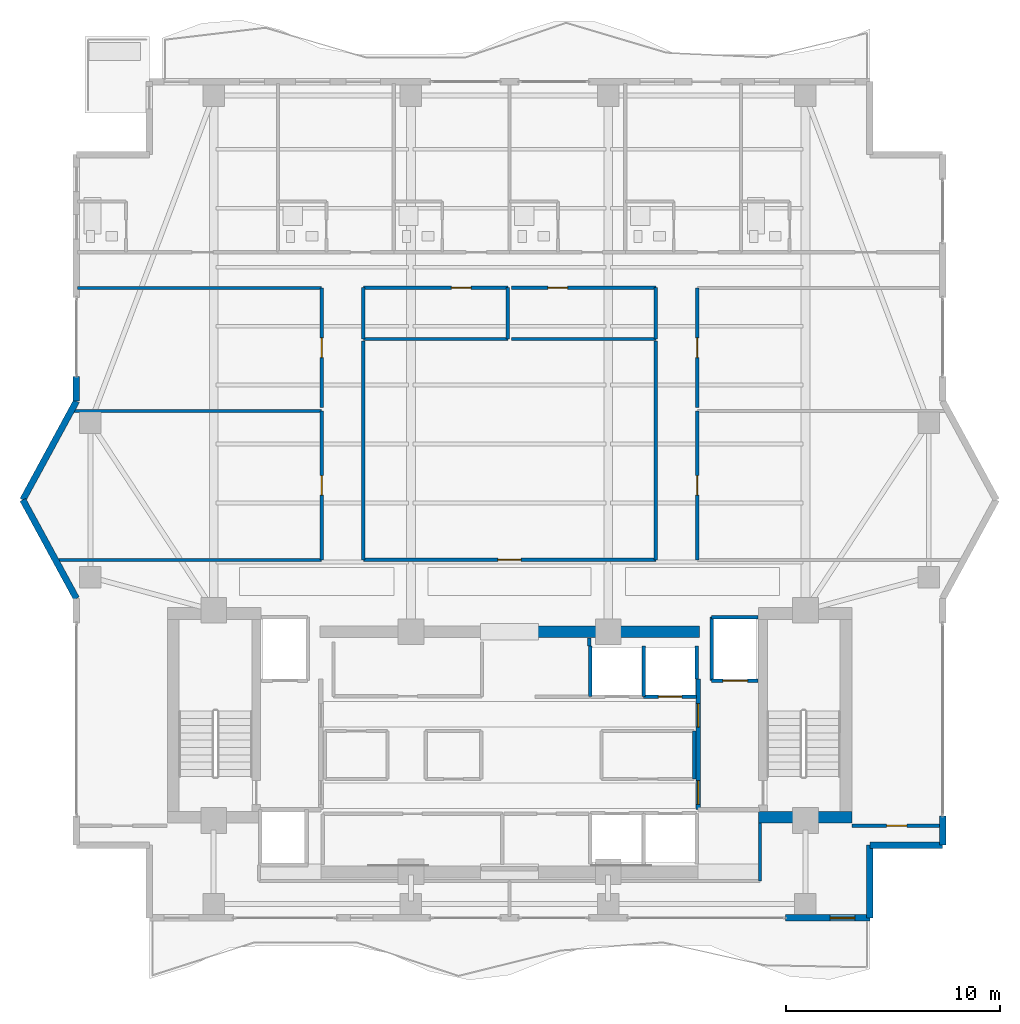
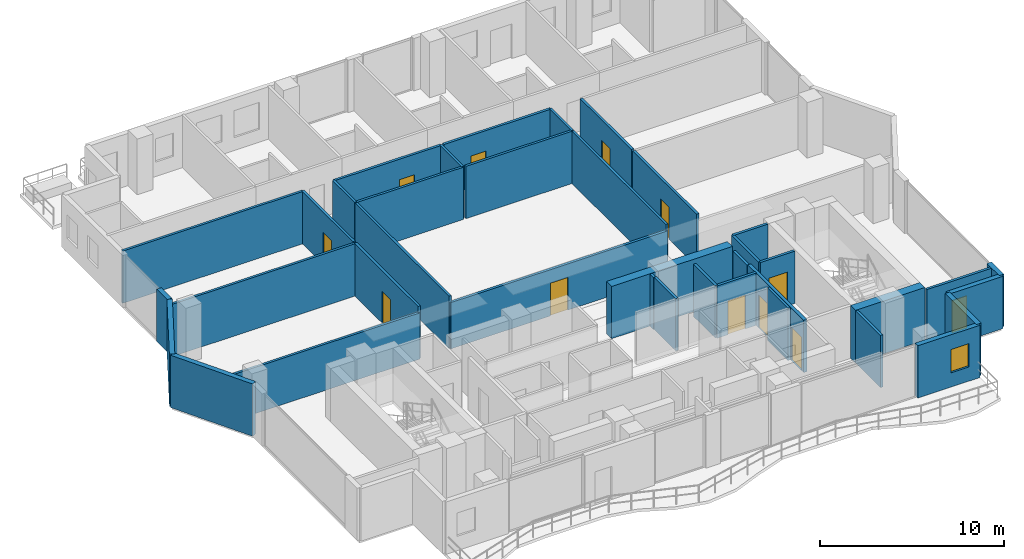
# One storey, part 18 of 23: 38 walls, 12 doors, 1 window, 13 openings.
"""IFC4 building model written with IfcOpenShell, lengths in metres."""

from ifc_helpers import new_model, si_unit, direction, frame, frame_2d, origin, place, context, subcontext, project, spatial, rectangle, extrude, material, layer, layer_set, type_object, element, fill, save


model = new_model("IFC4")

# Units and contexts
model_context = context("Model", 3, precision=1e-05, world=origin(), true_north=direction((0.0, 1.0)))
body_context = subcontext(model_context, "Body", "Model", "MODEL_VIEW")
ifc_project = project(units=[si_unit("LENGTHUNIT", "METRE"), si_unit("AREAUNIT", "SQUARE_METRE"), si_unit("VOLUMEUNIT", "CUBIC_METRE"), si_unit("PLANEANGLEUNIT", "RADIAN"), si_unit("MASSUNIT", "GRAM", prefix="KILO")], contexts=[model_context])

# Site, building, storey
site_placement = place(None, origin())
site = spatial("IfcSite", under=ifc_project, at=site_placement, CompositionType="ELEMENT")
building_placement = place(site_placement, origin())
building = spatial("IfcBuilding", under=site, at=building_placement, Name="Zuhayl Quay Hotel", CompositionType="ELEMENT")
storey_placement = place(building_placement, frame((0.0, 0.0, 272.949951171875)))
storey = spatial("IfcBuildingStorey", under=building, at=storey_placement, Name="L69", CompositionType="ELEMENT", Elevation=272.949951171875)

# Walls
ifc_material_1 = material(Name="Concrete C50/60", Category="concrete")
ifc_layer_1 = layer(ifc_material_1, 0.550048828125, Name="Concrete C50/60", Category="concrete")
ifc_layer_set_1 = layer_set([ifc_layer_1], Name="Concrete C50/60")
wall_type_1 = type_object("IfcWallType", Name="WL_CORE_550", PredefinedType="SHEAR", material=ifc_layer_set_1)
wall_1_placement = place(storey_placement, frame((11.60009765625, 4.695068359375, 0.0), z_axis=(0.0, 0.0, 1.0), x_axis=(1.0, 0.0, 0.0)))
element("IfcWall", 1, at=wall_1_placement, inside=storey, type_object=wall_type_1, Name="L69 Core Shear Wall CW_SE", PredefinedType="SHEAR", context=body_context, shape_type="SweptSolid", body=[
    extrude(rectangle(XDim=4.35986328125, YDim=0.550048828125, at=frame_2d((2.179931640625, 0.0))), origin(), (0.0, 0.0, 1.0), 3.510009765625),
])
wall_2_placement = place(storey_placement, frame((1.25, 13.35009765625, 0.0), z_axis=(0.0, 0.0, 1.0), x_axis=(1.0, 0.0, 0.0)))
element("IfcWall", 2, at=wall_2_placement, inside=storey, type_object=wall_type_1, Name="L69 Core Shear Wall CW_NC_E", PredefinedType="SHEAR", context=body_context, shape_type="SweptSolid", body=[
    extrude(rectangle(XDim=7.60009765625, YDim=0.550048828125, at=frame_2d((3.800048828125, 0.0))), origin(), (0.0, 0.0, 1.0), 3.47998046875),
])
ifc_material_2 = material(Name="Precast concrete C45/55", Category="concrete")
ifc_layer_2 = layer(ifc_material_2, 0.300048828125, Name="Precast concrete C45/55", Category="concrete")
ifc_layer_set_2 = layer_set([ifc_layer_2], Name="Precast concrete C45/55")
wall_type_2 = type_object("IfcWallType", Name="WL_EXT_300", PredefinedType="STANDARD", material=ifc_layer_set_2)
for number, where, z_axis, x_axis, name in (
    (3, (-20.199951171875, 14.89990234375, 0.0), (0.0, 0.0, 1.0), (-0.477505494629, 0.878628762675, 0.0), "L69 Exterior Precast Wall ENV_L69_EW03"),
    (4, (-22.699951171875, 19.5, 0.0), (0.0, 0.0, 1.0), (0.477505494629, 0.878628762675, 0.0), "L69 Exterior Precast Wall ENV_L69_EW04"),
):
    element("IfcWall", number, at=place(storey_placement, frame(where, z_axis=z_axis, x_axis=x_axis)), inside=storey, type_object=wall_type_2, Name=name, PredefinedType="STANDARD", context=body_context, shape_type="SweptSolid", body=[
        extrude(rectangle(XDim=5.235595703125, YDim=0.300048828125, at=frame_2d((2.61767578125, 0.0))), origin(), (0.0, 0.0, 1.0), 3.47998046875),
    ])
wall_3_placement = place(storey_placement, frame((-20.199951171875, 24.10009765625, 0.0), z_axis=(0.0, 0.0, 1.0), x_axis=(0.0, 1.0, 0.0)))
element("IfcWall", 5, at=wall_3_placement, inside=storey, type_object=wall_type_2, Name="L69 Exterior Precast Wall ENV_L69_E05_EW1", PredefinedType="STANDARD", context=body_context, shape_type="SweptSolid", body=[
    extrude(rectangle(XDim=1.14990234375, YDim=0.300048828125, at=frame_2d((0.574951171875, 0.0))), origin(), (0.0, 0.0, 1.0), 3.47998046875),
])
wall_4_placement = place(storey_placement, frame((20.199951171875, 4.75, 0.0), z_axis=(0.0, 0.0, 1.0), x_axis=(0.0, -1.0, 0.0)))
element("IfcWall", 6, at=wall_4_placement, inside=storey, type_object=wall_type_2, Name="L69 Exterior Precast Wall ENV_L69_E14_EW2", PredefinedType="STANDARD", context=body_context, shape_type="SweptSolid", body=[
    extrude(rectangle(XDim=1.35009765625, YDim=0.300048828125, at=frame_2d((0.675048828125, 0.0))), origin(), (0.0, 0.0, 1.0), 3.47998046875),
])
for number, where, z_axis, x_axis, name in (
    (7, (20.199951171875, 3.39990234375, 0.0), (0.0, 0.0, 1.0), (-1.0, 0.0, 0.0), "L69 Exterior Precast Wall ENV_L69_EW15"),
    (8, (16.800048828125, 3.39990234375, 0.0), (0.0, 0.0, 1.0), (0.0, -1.0, 0.0), "L69 Exterior Precast Wall ENV_L69_EW16"),
):
    element("IfcWall", number, at=place(storey_placement, frame(where, z_axis=z_axis, x_axis=x_axis)), inside=storey, type_object=wall_type_2, Name=name, PredefinedType="STANDARD", context=body_context, shape_type="SweptSolid", body=[
        extrude(rectangle(XDim=3.39990234375, YDim=0.300048828125, at=frame_2d((1.699951171875, 0.0))), origin(), (0.0, 0.0, 1.0), 3.47998046875),
    ])

# Wall, opening, window
wall_5_placement = place(storey_placement, frame((16.800048828125, 0.0, 0.0), z_axis=(0.0, 0.0, 1.0), x_axis=(-1.0, 0.0, 0.0)))
wall_5 = element("IfcWall", 9, at=wall_5_placement, inside=storey, type_object=wall_type_2, Name="L69 Exterior Precast Wall ENV_L69_S_EW1", PredefinedType="STANDARD", context=body_context, shape_type="SweptSolid", body=[
    extrude(rectangle(XDim=3.920166015625, YDim=0.300048828125, at=frame_2d((1.9599609375, 0.0))), origin(), (0.0, 0.0, 1.0), 3.47998046875),
])
opening_1_placement = place(wall_5_placement, frame((0.695068359375, 0.0, 0.949951171875)))
opening_1 = element("IfcOpeningElement", 10, at=opening_1_placement, cuts=wall_5, Name="Opening W01N", PredefinedType="OPENING", context=body_context, shape_type="SweptSolid", body=[
    extrude(rectangle(XDim=1.14990234375, YDim=1.550048828125, at=frame_2d((0.574951171875, 0.77490234375))), frame((0.0, 0.159912109375, 0.0), z_axis=(0.0, -1.0, 0.0), x_axis=(1.0, 0.0, 0.0)), (0.0, 0.0, 1.0), 0.320068359375),
])
ifc_material_3 = material(Name="Dark Ceramic-Fritted Solar Glass", Category="glass")
window_type = type_object("IfcWindowType", Name="WN_NOTCH_1350", PartitioningType="SINGLE_PANEL", PredefinedType="WINDOW", material=ifc_material_3)
window_placement = place(opening_1_placement, origin())
window = element("IfcWindow", 11, at=window_placement, inside=storey, type_object=window_type, Name="L69 Operable Facade Window 1-1", OverallHeight=1.550048828125, OverallWidth=1.14990234375, PartitioningType="SINGLE_PANEL", PredefinedType="WINDOW", context=body_context, shape_type="SweptSolid", body=[
    extrude(rectangle(XDim=1.14990234375, YDim=1.550048828125, at=frame_2d((0.574951171875, 0.77490234375))), frame((0.0, 0.030029296875, 0.0), z_axis=(0.0, -1.0, 0.0), x_axis=(1.0, 0.0, 0.0)), (0.0, 0.0, 1.0), 0.06005859375),
])
fill(opening_1, window)

# Walls
ifc_material_4 = material(Name="Acoustic Gypsum Partition STC-58")
ifc_layer_3 = layer(ifc_material_4, 0.14990234375, Name="Acoustic Gypsum Partition STC-58")
ifc_layer_set_3 = layer_set([ifc_layer_3], Name="Acoustic Gypsum Partition STC-58")
wall_type_3 = type_object("IfcWallType", Name="WL_PART_150", PredefinedType="PARTITIONING", material=ifc_layer_set_3)
wall_6_placement = place(storey_placement, frame((8.610107421875, 6.47998046875, 0.0), z_axis=(0.0, 0.0, 1.0), x_axis=(0.0, 1.0, 0.0)))
element("IfcWall", 12, at=wall_6_placement, inside=storey, type_object=wall_type_3, Name="L69 Partition IW_L69_CORE_VL_E", PredefinedType="PARTITIONING", context=body_context, shape_type="SweptSolid", body=[
    extrude(rectangle(XDim=2.239990234375, YDim=0.14990234375, at=frame_2d((1.1201171875, 0.0))), origin(), (0.0, 0.0, 1.0), 3.47998046875),
])
wall_7_placement = place(storey_placement, frame((3.719970703125, 12.679931640625, 0.0), z_axis=(0.0, 0.0, 1.0), x_axis=(0.0, 1.0, 0.0)))
element("IfcWall", 13, at=wall_7_placement, inside=storey, type_object=wall_type_3, Name="L69 Partition IW_L69_VEST_MP4_E", PredefinedType="PARTITIONING", context=body_context, shape_type="SweptSolid", body=[
    extrude(rectangle(XDim=0.3701171875, YDim=0.14990234375, at=frame_2d((0.18505859375, 0.0))), origin(), (0.0, 0.0, 1.0), 3.47998046875),
])
wall_8_placement = place(storey_placement, frame((11.679931640625, 1.719970703125, 0.0), z_axis=(0.0, 0.0, 1.0), x_axis=(0.0, 1.0, 0.0)))
element("IfcWall", 14, at=wall_8_placement, inside=storey, type_object=wall_type_3, Name="L69 Partition IW_L69_Z4_SUN_SE_IN", PredefinedType="PARTITIONING", context=body_context, shape_type="SweptSolid", body=[
    extrude(rectangle(XDim=2.699951171875, YDim=0.14990234375, at=frame_2d((1.35009765625, 0.0))), origin(), (0.0, 0.0, 1.0), 3.47998046875),
])
wall_9_placement = place(storey_placement, frame((-6.820068359375, 27.0, 0.0), z_axis=(0.0, 0.0, 1.0), x_axis=(1.0, 0.0, 0.0)))
element("IfcWall", 15, at=wall_9_placement, inside=storey, type_object=wall_type_3, Name="L69 Partition IW_L69_HK_MAIN_S", PredefinedType="PARTITIONING", context=body_context, shape_type="SweptSolid", body=[
    extrude(rectangle(XDim=6.739990234375, YDim=0.14990234375, at=frame_2d((3.3701171875, 0.0))), origin(), (0.0, 0.0, 1.0), 3.47998046875),
])
for number, where, z_axis, x_axis, name in (
    (16, (-6.820068359375, 27.0, 0.0), (0.0, 0.0, 1.0), (0.0, 1.0, 0.0), "L69 Partition IW_L69_HK_MAIN_W"),
    (17, (-0.080078125, 27.0, 0.0), (0.0, 0.0, 1.0), (0.0, 1.0, 0.0), "L69 Partition IW_L69_HK_MAIN_E"),
):
    element("IfcWall", number, at=place(storey_placement, frame(where, z_axis=z_axis, x_axis=x_axis)), inside=storey, type_object=wall_type_3, Name=name, PredefinedType="PARTITIONING", context=body_context, shape_type="SweptSolid", body=[
        extrude(rectangle(XDim=2.39990234375, YDim=0.14990234375, at=frame_2d((1.199951171875, 0.0))), origin(), (0.0, 0.0, 1.0), 3.47998046875),
    ])
wall_10_placement = place(storey_placement, frame((0.080078125, 27.0, 0.0), z_axis=(0.0, 0.0, 1.0), x_axis=(1.0, 0.0, 0.0)))
element("IfcWall", 18, at=wall_10_placement, inside=storey, type_object=wall_type_3, Name="L69 Partition IW_L69_TEA_MAIN_S", PredefinedType="PARTITIONING", context=body_context, shape_type="SweptSolid", body=[
    extrude(rectangle(XDim=6.739990234375, YDim=0.14990234375, at=frame_2d((3.3701171875, 0.0))), origin(), (0.0, 0.0, 1.0), 3.47998046875),
])
wall_11_placement = place(storey_placement, frame((6.820068359375, 27.0, 0.0), z_axis=(0.0, 0.0, 1.0), x_axis=(0.0, 1.0, 0.0)))
element("IfcWall", 19, at=wall_11_placement, inside=storey, type_object=wall_type_3, Name="L69 Partition IW_L69_TEA_MAIN_E", PredefinedType="PARTITIONING", context=body_context, shape_type="SweptSolid", body=[
    extrude(rectangle(XDim=2.39990234375, YDim=0.14990234375, at=frame_2d((1.199951171875, 0.0))), origin(), (0.0, 0.0, 1.0), 3.47998046875),
])
for number, where, z_axis, x_axis, name in (
    (20, (-6.820068359375, 16.699951171875, 0.0), (0.0, 0.0, 1.0), (0.0, 1.0, 0.0), "L69 Partition IW_L69_Z4_Q1_W"),
    (21, (6.820068359375, 16.699951171875, 0.0), (0.0, 0.0, 1.0), (0.0, 1.0, 0.0), "L69 Partition IW_L69_Z4_Q1_E"),
):
    element("IfcWall", number, at=place(storey_placement, frame(where, z_axis=z_axis, x_axis=x_axis)), inside=storey, type_object=wall_type_3, Name=name, PredefinedType="PARTITIONING", context=body_context, shape_type="SweptSolid", body=[
        extrude(rectangle(XDim=10.219970703125, YDim=0.14990234375, at=frame_2d((5.10986328125, 0.0))), origin(), (0.0, 0.0, 1.0), 3.47998046875),
    ])
wall_12_placement = place(storey_placement, frame((-21.118408203125, 16.699951171875, 0.0), z_axis=(0.0, 0.0, 1.0), x_axis=(1.0, 0.0, 0.0)))
element("IfcWall", 22, at=wall_12_placement, inside=storey, type_object=wall_type_3, Name="L69 Partition IW_L69_Z4_V4W1_S", PredefinedType="PARTITIONING", context=body_context, shape_type="SweptSolid", body=[
    extrude(rectangle(XDim=12.3583984375, YDim=0.14990234375, at=frame_2d((6.17919921875, 0.0))), origin(), (0.0, 0.0, 1.0), 3.075927734375),
])
wall_13_placement = place(storey_placement, frame((-20.384521484375, 23.64990234375, 0.0), z_axis=(0.0, 0.0, 1.0), x_axis=(1.0, 0.0, 0.0)))
element("IfcWall", 23, at=wall_13_placement, inside=storey, type_object=wall_type_3, Name="L69 Partition IW_L69_Z4_V4W1_N", PredefinedType="PARTITIONING", context=body_context, shape_type="SweptSolid", body=[
    extrude(rectangle(XDim=11.62451171875, YDim=0.14990234375, at=frame_2d((5.812255859375, 0.0))), origin(), (0.0, 0.0, 1.0), 3.47998046875),
])
wall_14_placement = place(storey_placement, frame((-20.139892578125, 29.3798828125, 0.0), z_axis=(0.0, 0.0, 1.0), x_axis=(1.0, 0.0, 0.0)))
element("IfcWall", 24, at=wall_14_placement, inside=storey, type_object=wall_type_3, Name="L69 Partition IW_L69_Z4_V4W2_N", PredefinedType="PARTITIONING", context=body_context, shape_type="SweptSolid", body=[
    extrude(rectangle(XDim=11.3798828125, YDim=0.14990234375, at=frame_2d((5.68994140625, 0.0))), origin(), (0.0, 0.0, 1.0), 3.47998046875),
])

# Wall, opening, door
ifc_layer_4 = layer(ifc_material_4, 0.159912109375, Name="Acoustic Gypsum Partition STC-58")
ifc_layer_set_4 = layer_set([ifc_layer_4], Name="Acoustic Gypsum Partition STC-58")
wall_type_4 = type_object("IfcWallType", Name="WL_PART_CORR_160", PredefinedType="PARTITIONING", material=ifc_layer_set_4)
wall_15_placement = place(storey_placement, frame((15.97998046875, 4.300048828125, 0.0), z_axis=(0.0, 0.0, 1.0), x_axis=(1.0, 0.0, 0.0)))
wall_15 = element("IfcWall", 25, at=wall_15_placement, inside=storey, type_object=wall_type_4, Name="L69 Partition IW_L69_Z4_SUN_SE_N", PredefinedType="PARTITIONING", context=body_context, shape_type="SweptSolid", body=[
    extrude(rectangle(XDim=4.159912109375, YDim=0.159912109375, at=frame_2d((2.080078125, 0.0))), origin(), (0.0, 0.0, 1.0), 3.47998046875),
])
opening_2_placement = place(wall_15_placement, frame((1.60498046875, 0.0, 0.0)))
opening_2 = element("IfcOpeningElement", 26, at=opening_2_placement, cuts=wall_15, Name="Opening D03", PredefinedType="OPENING", context=body_context, shape_type="SweptSolid", body=[
    extrude(rectangle(XDim=0.949951171875, YDim=2.14990234375, at=frame_2d((0.47509765625, 1.074951171875))), frame((0.0, 0.08984375, 0.0), z_axis=(0.0, -1.0, 0.0), x_axis=(1.0, 0.0, 0.0)), (0.0, 0.0, 1.0), 0.179931640625),
])
ifc_material_5 = material(Name="Solid Walnut Acoustic Fire Door")
door_type_1 = type_object("IfcDoorType", Name="DR_SUITE_950", OperationType="NOTDEFINED", PredefinedType="DOOR", material=ifc_material_5)
door_1_placement = place(opening_2_placement, origin())
door_1 = element("IfcDoor", 27, at=door_1_placement, inside=storey, type_object=door_type_1, Name="L69 Sunset Salon SE Door", OperationType="SINGLE_SWING_LEFT", OverallHeight=2.14990234375, OverallWidth=0.949951171875, PredefinedType="DOOR", context=body_context, shape_type="SweptSolid", body=[
    extrude(rectangle(XDim=0.949951171875, YDim=2.14990234375, at=frame_2d((0.47509765625, 1.074951171875))), frame((0.0, 0.02490234375, 0.0), z_axis=(0.0, -1.0, 0.0), x_axis=(1.0, 0.0, 0.0)), (0.0, 0.0, 1.0), 0.050048828125),
])
fill(opening_2, door_1)

wall_16_placement = place(storey_placement, frame((-6.820068359375, 29.39990234375, 0.0), z_axis=(0.0, 0.0, 1.0), x_axis=(1.0, 0.0, 0.0)))
wall_16 = element("IfcWall", 28, at=wall_16_placement, inside=storey, type_object=wall_type_4, Name="L69 Partition IW_L69_HK_MAIN_N", PredefinedType="PARTITIONING", context=body_context, shape_type="SweptSolid", body=[
    extrude(rectangle(XDim=6.739990234375, YDim=0.159912109375, at=frame_2d((3.3701171875, 0.0))), origin(), (0.0, 0.0, 1.0), 3.47998046875),
])
opening_3_placement = place(wall_16_placement, frame((4.110107421875, 0.0, 0.0)))
opening_3 = element("IfcOpeningElement", 29, at=opening_3_placement, cuts=wall_16, Name="Opening D05", PredefinedType="OPENING", context=body_context, shape_type="SweptSolid", body=[
    extrude(rectangle(XDim=0.919921875, YDim=2.1201171875, at=frame_2d((0.4599609375, 1.06005859375))), frame((0.0, 0.08984375, 0.0), z_axis=(0.0, -1.0, 0.0), x_axis=(1.0, 0.0, 0.0)), (0.0, 0.0, 1.0), 0.179931640625),
])
door_type_2 = type_object("IfcDoorType", Name="DR_INT_950", OperationType="NOTDEFINED", PredefinedType="DOOR", material=ifc_material_5)
door_2_placement = place(opening_3_placement, origin())
door_2 = element("IfcDoor", 30, at=door_2_placement, inside=storey, type_object=door_type_2, Name="L69 Housekeeping and Linen Room Door", OperationType="SINGLE_SWING_RIGHT", OverallHeight=2.1201171875, OverallWidth=0.919921875, PredefinedType="DOOR", context=body_context, shape_type="SweptSolid", body=[
    extrude(rectangle(XDim=0.919921875, YDim=2.1201171875, at=frame_2d((0.4599609375, 1.06005859375))), frame((0.0, 0.02490234375, 0.0), z_axis=(0.0, -1.0, 0.0), x_axis=(1.0, 0.0, 0.0)), (0.0, 0.0, 1.0), 0.050048828125),
])
fill(opening_3, door_2)

wall_17_placement = place(storey_placement, frame((0.080078125, 29.39990234375, 0.0), z_axis=(0.0, 0.0, 1.0), x_axis=(1.0, 0.0, 0.0)))
wall_17 = element("IfcWall", 31, at=wall_17_placement, inside=storey, type_object=wall_type_4, Name="L69 Partition IW_L69_TEA_MAIN_N", PredefinedType="PARTITIONING", context=body_context, shape_type="SweptSolid", body=[
    extrude(rectangle(XDim=6.739990234375, YDim=0.159912109375, at=frame_2d((3.3701171875, 0.0))), origin(), (0.0, 0.0, 1.0), 3.47998046875),
])
opening_4_placement = place(wall_17_placement, frame((1.7099609375, 0.0, 0.0)))
opening_4 = element("IfcOpeningElement", 32, at=opening_4_placement, cuts=wall_17, Name="Opening D05", PredefinedType="OPENING", context=body_context, shape_type="SweptSolid", body=[
    extrude(rectangle(XDim=0.919921875, YDim=2.1201171875, at=frame_2d((0.4599609375, 1.06005859375))), frame((0.0, 0.08984375, 0.0), z_axis=(0.0, -1.0, 0.0), x_axis=(1.0, 0.0, 0.0)), (0.0, 0.0, 1.0), 0.179931640625),
])
door_3_placement = place(opening_4_placement, origin())
door_3 = element("IfcDoor", 33, at=door_3_placement, inside=storey, type_object=door_type_2, Name="L69 Floor Beverage Pantry Door", OperationType="SINGLE_SWING_LEFT", OverallHeight=2.1201171875, OverallWidth=0.919921875, PredefinedType="DOOR", context=body_context, shape_type="SweptSolid", body=[
    extrude(rectangle(XDim=0.919921875, YDim=2.1201171875, at=frame_2d((0.4599609375, 1.06005859375))), frame((0.0, 0.02490234375, 0.0), z_axis=(0.0, -1.0, 0.0), x_axis=(1.0, 0.0, 0.0)), (0.0, 0.0, 1.0), 0.050048828125),
])
fill(opening_4, door_3)

wall_18_placement = place(storey_placement, frame((-6.820068359375, 16.699951171875, 0.0), z_axis=(0.0, 0.0, 1.0), x_axis=(1.0, 0.0, 0.0)))
wall_18 = element("IfcWall", 34, at=wall_18_placement, inside=storey, type_object=wall_type_4, Name="L69 Partition IW_L69_Z4_Q1_S", PredefinedType="PARTITIONING", context=body_context, shape_type="SweptSolid", body=[
    extrude(rectangle(XDim=13.64013671875, YDim=0.159912109375, at=frame_2d((6.820068359375, 0.0))), origin(), (0.0, 0.0, 1.0), 3.075927734375),
])
opening_5_placement = place(wall_18_placement, frame((6.280029296875, 0.0, 0.0)))
opening_5 = element("IfcOpeningElement", 35, at=opening_5_placement, cuts=wall_18, Name="Opening D05A", PredefinedType="OPENING", context=body_context, shape_type="SweptSolid", body=[
    extrude(rectangle(XDim=1.080078125, YDim=2.179931640625, at=frame_2d((0.5400390625, 1.08984375))), frame((0.0, 0.08984375, 0.0), z_axis=(0.0, -1.0, 0.0), x_axis=(1.0, 0.0, 0.0)), (0.0, 0.0, 1.0), 0.179931640625),
])
door_type_3 = type_object("IfcDoorType", Name="DR_INT_1100", OperationType="NOTDEFINED", PredefinedType="DOOR", material=ifc_material_5)
door_4_placement = place(opening_5_placement, origin())
door_4 = element("IfcDoor", 36, at=door_4_placement, inside=storey, type_object=door_type_3, Name="L69 Imperial Sky Conservatory Door", OperationType="SINGLE_SWING_RIGHT", OverallHeight=2.179931640625, OverallWidth=1.080078125, PredefinedType="DOOR", context=body_context, shape_type="SweptSolid", body=[
    extrude(rectangle(XDim=1.080078125, YDim=2.179931640625, at=frame_2d((0.5400390625, 1.08984375))), frame((0.0, 0.02490234375, 0.0), z_axis=(0.0, -1.0, 0.0), x_axis=(1.0, 0.0, 0.0)), (0.0, 0.0, 1.0), 0.050048828125),
])
fill(opening_5, door_4)

wall_19_placement = place(storey_placement, frame((-8.760009765625, 16.699951171875, 0.0), z_axis=(0.0, 0.0, 1.0), x_axis=(0.0, 1.0, 0.0)))
wall_19 = element("IfcWall", 37, at=wall_19_placement, inside=storey, type_object=wall_type_4, Name="L69 Partition IW_L69_Z4_V4W1_E", PredefinedType="PARTITIONING", context=body_context, shape_type="SweptSolid", body=[
    extrude(rectangle(XDim=6.949951171875, YDim=0.159912109375, at=frame_2d((3.47509765625, 0.0))), origin(), (0.0, 0.0, 1.0), 3.47998046875),
])
opening_6_placement = place(wall_19_placement, frame((3.014892578125, 0.0, 0.0)))
opening_6 = element("IfcOpeningElement", 38, at=opening_6_placement, cuts=wall_19, Name="Opening D05", PredefinedType="OPENING", context=body_context, shape_type="SweptSolid", body=[
    extrude(rectangle(XDim=0.919921875, YDim=2.1201171875, at=frame_2d((0.4599609375, 1.06005859375))), frame((0.0, 0.08984375, 0.0), z_axis=(0.0, -1.0, 0.0), x_axis=(1.0, 0.0, 0.0)), (0.0, 0.0, 1.0), 0.179931640625),
])
door_5_placement = place(opening_6_placement, origin())
door_5 = element("IfcDoor", 39, at=door_5_placement, inside=storey, type_object=door_type_2, Name="L69 Imperial West Salon Door", OperationType="SINGLE_SWING_LEFT", OverallHeight=2.1201171875, OverallWidth=0.919921875, PredefinedType="DOOR", context=body_context, shape_type="SweptSolid", body=[
    extrude(rectangle(XDim=0.919921875, YDim=2.1201171875, at=frame_2d((0.4599609375, 1.06005859375))), frame((0.0, 0.02490234375, 0.0), z_axis=(0.0, -1.0, 0.0), x_axis=(1.0, 0.0, 0.0)), (0.0, 0.0, 1.0), 0.050048828125),
])
fill(opening_6, door_5)

wall_20_placement = place(storey_placement, frame((-8.760009765625, 23.81005859375, 0.0), z_axis=(0.0, 0.0, 1.0), x_axis=(0.0, 1.0, 0.0)))
wall_20 = element("IfcWall", 40, at=wall_20_placement, inside=storey, type_object=wall_type_4, Name="L69 Partition IW_L69_Z4_V4W2_E", PredefinedType="PARTITIONING", context=body_context, shape_type="SweptSolid", body=[
    extrude(rectangle(XDim=5.56982421875, YDim=0.159912109375, at=frame_2d((2.784912109375, 0.0))), origin(), (0.0, 0.0, 1.0), 3.47998046875),
])
opening_7_placement = place(wall_20_placement, frame((2.324951171875, 0.0, 0.0)))
opening_7 = element("IfcOpeningElement", 41, at=opening_7_placement, cuts=wall_20, Name="Opening D05", PredefinedType="OPENING", context=body_context, shape_type="SweptSolid", body=[
    extrude(rectangle(XDim=0.919921875, YDim=2.1201171875, at=frame_2d((0.4599609375, 1.06005859375))), frame((0.0, 0.08984375, 0.0), z_axis=(0.0, -1.0, 0.0), x_axis=(1.0, 0.0, 0.0)), (0.0, 0.0, 1.0), 0.179931640625),
])
door_6_placement = place(opening_7_placement, origin())
door_6 = element("IfcDoor", 42, at=door_6_placement, inside=storey, type_object=door_type_2, Name="L69 Imperial Music Lounge Door", OperationType="SINGLE_SWING_RIGHT", OverallHeight=2.1201171875, OverallWidth=0.919921875, PredefinedType="DOOR", context=body_context, shape_type="SweptSolid", body=[
    extrude(rectangle(XDim=0.919921875, YDim=2.1201171875, at=frame_2d((0.4599609375, 1.06005859375))), frame((0.0, 0.02490234375, 0.0), z_axis=(0.0, -1.0, 0.0), x_axis=(1.0, 0.0, 0.0)), (0.0, 0.0, 1.0), 0.050048828125),
])
fill(opening_7, door_6)

wall_21_placement = place(storey_placement, frame((8.760009765625, 16.699951171875, 0.0), z_axis=(0.0, 0.0, 1.0), x_axis=(0.0, 1.0, 0.0)))
wall_21 = element("IfcWall", 43, at=wall_21_placement, inside=storey, type_object=wall_type_4, Name="L69 Partition IW_L69_Z4_V4E1_W", PredefinedType="PARTITIONING", context=body_context, shape_type="SweptSolid", body=[
    extrude(rectangle(XDim=6.949951171875, YDim=0.159912109375, at=frame_2d((3.47509765625, 0.0))), origin(), (0.0, 0.0, 1.0), 3.47998046875),
])
opening_8_placement = place(wall_21_placement, frame((3.014892578125, 0.0, 0.0)))
opening_8 = element("IfcOpeningElement", 44, at=opening_8_placement, cuts=wall_21, Name="Opening D05", PredefinedType="OPENING", context=body_context, shape_type="SweptSolid", body=[
    extrude(rectangle(XDim=0.919921875, YDim=2.1201171875, at=frame_2d((0.4599609375, 1.06005859375))), frame((0.0, 0.08984375, 0.0), z_axis=(0.0, -1.0, 0.0), x_axis=(1.0, 0.0, 0.0)), (0.0, 0.0, 1.0), 0.179931640625),
])
door_7_placement = place(opening_8_placement, origin())
door_7 = element("IfcDoor", 45, at=door_7_placement, inside=storey, type_object=door_type_2, Name="L69 Imperial Boardroom Door", OperationType="SINGLE_SWING_LEFT", OverallHeight=2.1201171875, OverallWidth=0.919921875, PredefinedType="DOOR", context=body_context, shape_type="SweptSolid", body=[
    extrude(rectangle(XDim=0.919921875, YDim=2.1201171875, at=frame_2d((0.4599609375, 1.06005859375))), frame((0.0, 0.02490234375, 0.0), z_axis=(0.0, -1.0, 0.0), x_axis=(1.0, 0.0, 0.0)), (0.0, 0.0, 1.0), 0.050048828125),
])
fill(opening_8, door_7)

wall_22_placement = place(storey_placement, frame((8.760009765625, 23.81005859375, 0.0), z_axis=(0.0, 0.0, 1.0), x_axis=(0.0, 1.0, 0.0)))
wall_22 = element("IfcWall", 46, at=wall_22_placement, inside=storey, type_object=wall_type_4, Name="L69 Partition IW_L69_Z4_V4E2_W", PredefinedType="PARTITIONING", context=body_context, shape_type="SweptSolid", body=[
    extrude(rectangle(XDim=5.56982421875, YDim=0.159912109375, at=frame_2d((2.784912109375, 0.0))), origin(), (0.0, 0.0, 1.0), 3.47998046875),
])
opening_9_placement = place(wall_22_placement, frame((2.324951171875, 0.0, 0.0)))
opening_9 = element("IfcOpeningElement", 47, at=opening_9_placement, cuts=wall_22, Name="Opening D05", PredefinedType="OPENING", context=body_context, shape_type="SweptSolid", body=[
    extrude(rectangle(XDim=0.919921875, YDim=2.1201171875, at=frame_2d((0.4599609375, 1.06005859375))), frame((0.0, 0.08984375, 0.0), z_axis=(0.0, -1.0, 0.0), x_axis=(1.0, 0.0, 0.0)), (0.0, 0.0, 1.0), 0.179931640625),
])
door_8_placement = place(opening_9_placement, origin())
door_8 = element("IfcDoor", 48, at=door_8_placement, inside=storey, type_object=door_type_2, Name="L69 Imperial Private Dining Door", OperationType="SINGLE_SWING_RIGHT", OverallHeight=2.1201171875, OverallWidth=0.919921875, PredefinedType="DOOR", context=body_context, shape_type="SweptSolid", body=[
    extrude(rectangle(XDim=0.919921875, YDim=2.1201171875, at=frame_2d((0.4599609375, 1.06005859375))), frame((0.0, 0.02490234375, 0.0), z_axis=(0.0, -1.0, 0.0), x_axis=(1.0, 0.0, 0.0)), (0.0, 0.0, 1.0), 0.050048828125),
])
fill(opening_9, door_8)

ifc_material_6 = material(Name="Gypsum Fireboard Assembly EI-90")
ifc_layer_5 = layer(ifc_material_6, 0.1650390625, Name="Gypsum Fireboard Assembly EI-90")
ifc_layer_set_5 = layer_set([ifc_layer_5], Name="Gypsum Fireboard Assembly EI-90")
wall_type_5 = type_object("IfcWallType", Name="WL_PART_SHAFT_160", PredefinedType="PARTITIONING", material=ifc_layer_set_5)
wall_23_placement = place(storey_placement, frame((9.419921875, 11.070068359375, 0.0), z_axis=(0.0, 0.0, 1.0), x_axis=(1.0, 0.0, 0.0)))
wall_23 = element("IfcWall", 49, at=wall_23_placement, inside=storey, type_object=wall_type_5, Name="L69 Partition IW_L69_SH_FL2_F", PredefinedType="PARTITIONING", context=body_context, shape_type="SweptSolid", body=[
    extrude(rectangle(XDim=2.16015625, YDim=0.1650390625, at=frame_2d((1.080078125, 0.0))), origin(), (0.0, 0.0, 1.0), 3.47998046875),
])
opening_10_placement = place(wall_23_placement, frame((0.530029296875, 0.0, 0.0)))
opening_10 = element("IfcOpeningElement", 50, at=opening_10_placement, cuts=wall_23, Name="Opening LD2", PredefinedType="OPENING", context=body_context, shape_type="SweptSolid", body=[
    extrude(rectangle(XDim=1.14990234375, YDim=2.25, at=frame_2d((0.574951171875, 1.125))), frame((0.0, 0.092529296875, 0.0), z_axis=(0.0, -1.0, 0.0), x_axis=(1.0, 0.0, 0.0)), (0.0, 0.0, 1.0), 0.18505859375),
])
ifc_material_7 = material(Name="Brushed Stainless Steel", Category="steel")
door_type_4 = type_object("IfcDoorType", Name="DR_LIFT_FF_1100", OperationType="SLIDING_TO_LEFT", PredefinedType="DOOR", material=ifc_material_7)
door_9_placement = place(opening_10_placement, origin())
door_9 = element("IfcDoor", 51, at=door_9_placement, inside=storey, type_object=door_type_4, Name="L69 Lift FL2 Sliding Landing Door", OperationType="SLIDING_TO_LEFT", OverallHeight=2.25, OverallWidth=1.14990234375, PredefinedType="DOOR", context=body_context, shape_type="SweptSolid", body=[
    extrude(rectangle(XDim=1.14990234375, YDim=2.25, at=frame_2d((0.574951171875, 1.125))), frame((0.0, 0.02490234375, 0.0), z_axis=(0.0, -1.0, 0.0), x_axis=(1.0, 0.0, 0.0)), (0.0, 0.0, 1.0), 0.050048828125),
])
fill(opening_10, door_9)

wall_24_placement = place(storey_placement, frame((6.25, 10.320068359375, 0.0), z_axis=(0.0, 0.0, 1.0), x_axis=(1.0, 0.0, 0.0)))
wall_24 = element("IfcWall", 52, at=wall_24_placement, inside=storey, type_object=wall_type_5, Name="L69 Partition IW_L69_SH_HP4_F", PredefinedType="PARTITIONING", context=body_context, shape_type="SweptSolid", body=[
    extrude(rectangle(XDim=2.47998046875, YDim=0.1650390625, at=frame_2d((1.239990234375, 0.0))), origin(), (0.0, 0.0, 1.0), 3.47998046875),
])
opening_11_placement = place(wall_24_placement, frame((0.68994140625, 0.0, 0.0)))
opening_11 = element("IfcOpeningElement", 53, at=opening_11_placement, cuts=wall_24, Name="Opening LD1", PredefinedType="OPENING", context=body_context, shape_type="SweptSolid", body=[
    extrude(rectangle(XDim=1.10009765625, YDim=2.25, at=frame_2d((0.550048828125, 1.125))), frame((0.0, 0.092529296875, 0.0), z_axis=(0.0, -1.0, 0.0), x_axis=(1.0, 0.0, 0.0)), (0.0, 0.0, 1.0), 0.18505859375),
])
door_type_5 = type_object("IfcDoorType", Name="DR_LIFT_PASS_1100", OperationType="SLIDING_TO_LEFT", PredefinedType="DOOR", material=ifc_material_7)
door_10_placement = place(opening_11_placement, origin())
door_10 = element("IfcDoor", 54, at=door_10_placement, inside=storey, type_object=door_type_5, Name="L69 Lift HP4 Sliding Landing Door", OperationType="SLIDING_TO_LEFT", OverallHeight=2.25, OverallWidth=1.10009765625, PredefinedType="DOOR", context=body_context, shape_type="SweptSolid", body=[
    extrude(rectangle(XDim=1.10009765625, YDim=2.25, at=frame_2d((0.550048828125, 1.125))), frame((0.0, 0.02490234375, 0.0), z_axis=(0.0, -1.0, 0.0), x_axis=(1.0, 0.0, 0.0)), (0.0, 0.0, 1.0), 0.050048828125),
])
fill(opening_11, door_10)

# Walls
wall_25_placement = place(storey_placement, frame((9.419921875, 11.070068359375, 0.0), z_axis=(0.0, 0.0, 1.0), x_axis=(0.0, 1.0, 0.0)))
element("IfcWall", 55, at=wall_25_placement, inside=storey, type_object=wall_type_5, Name="L69 Partition IW_L69_SH_FL2_W", PredefinedType="PARTITIONING", context=body_context, shape_type="SweptSolid", body=[
    extrude(rectangle(XDim=2.9599609375, YDim=0.1650390625, at=frame_2d((1.47998046875, 0.0))), origin(), (0.0, 0.0, 1.0), 3.47998046875),
])
wall_26_placement = place(storey_placement, frame((9.419921875, 14.030029296875, 0.0), z_axis=(0.0, 0.0, 1.0), x_axis=(1.0, 0.0, 0.0)))
element("IfcWall", 56, at=wall_26_placement, inside=storey, type_object=wall_type_5, Name="L69 Partition IW_L69_SH_FL2_B", PredefinedType="PARTITIONING", context=body_context, shape_type="SweptSolid", body=[
    extrude(rectangle(XDim=2.16015625, YDim=0.1650390625, at=frame_2d((1.080078125, 0.0))), origin(), (0.0, 0.0, 1.0), 3.47998046875),
])
for number, where, z_axis, x_axis, name in (
    (57, (3.77001953125, 10.320068359375, 0.0), (0.0, 0.0, 1.0), (0.0, 1.0, 0.0), "L69 Partition IW_L69_SH_HP3_W"),
    (58, (6.25, 10.320068359375, 0.0), (0.0, 0.0, 1.0), (0.0, 1.0, 0.0), "L69 Partition IW_L69_SH_HP3_E"),
):
    element("IfcWall", number, at=place(storey_placement, frame(where, z_axis=z_axis, x_axis=x_axis)), inside=storey, type_object=wall_type_5, Name=name, PredefinedType="PARTITIONING", context=body_context, shape_type="SweptSolid", body=[
        extrude(rectangle(XDim=2.35986328125, YDim=0.1650390625, at=frame_2d((1.179931640625, 0.0))), origin(), (0.0, 0.0, 1.0), 3.47998046875),
    ])
wall_27_placement = place(storey_placement, frame((8.72998046875, 11.14990234375, 0.0), z_axis=(0.0, 0.0, 1.0), x_axis=(0.0, 1.0, 0.0)))
element("IfcWall", 59, at=wall_27_placement, inside=storey, type_object=wall_type_5, Name="L69 Partition IW_L69_SH_HP4_E", PredefinedType="PARTITIONING", context=body_context, shape_type="SweptSolid", body=[
    extrude(rectangle(XDim=1.530029296875, YDim=0.1650390625, at=frame_2d((0.76513671875, 0.0))), origin(), (0.0, 0.0, 1.0), 3.47998046875),
])

# Wall, openings, doors
ifc_material_8 = material(Name="Gypsum Fireboard Assembly EI-120")
ifc_layer_6 = layer(ifc_material_8, 0.199951171875, Name="Gypsum Fireboard Assembly EI-120")
ifc_layer_set_6 = layer_set([ifc_layer_6], Name="Gypsum Fireboard Assembly EI-120")
wall_type_6 = type_object("IfcWallType", Name="WL_PART_SHAFT_200", PredefinedType="PARTITIONING", material=ifc_layer_set_6)
wall_28_placement = place(storey_placement, frame((8.800048828125, 11.14990234375, 0.0), z_axis=(0.0, 0.0, 1.0), x_axis=(0.0, -1.0, 0.0)))
wall_28 = element("IfcWall", 60, at=wall_28_placement, inside=storey, type_object=wall_type_6, Name="L69 Partition IW_L69_FSAE_E_W", PredefinedType="PARTITIONING", context=body_context, shape_type="SweptSolid", body=[
    extrude(rectangle(XDim=6.099853515625, YDim=0.199951171875, at=frame_2d((3.0498046875, 0.0))), origin(), (0.0, 0.0, 1.0), 3.47998046875),
])
opening_12_placement = place(wall_28_placement, frame((1.14990234375, 0.0, 0.0)))
opening_12 = element("IfcOpeningElement", 61, at=opening_12_placement, cuts=wall_28, Name="Opening D02", PredefinedType="OPENING", context=body_context, shape_type="SweptSolid", body=[
    extrude(rectangle(XDim=1.10009765625, YDim=2.199951171875, at=frame_2d((0.550048828125, 1.10009765625))), frame((0.0, 0.10986328125, 0.0), z_axis=(0.0, -1.0, 0.0), x_axis=(1.0, 0.0, 0.0)), (0.0, 0.0, 1.0), 0.219970703125),
])
opening_13_placement = place(wall_28_placement, frame((4.75, 0.0, 0.0)))
opening_13 = element("IfcOpeningElement", 62, at=opening_13_placement, cuts=wall_28, Name="Opening D02", PredefinedType="OPENING", context=body_context, shape_type="SweptSolid", body=[
    extrude(rectangle(XDim=1.10009765625, YDim=2.199951171875, at=frame_2d((0.550048828125, 1.10009765625))), frame((0.0, 0.10986328125, 0.0), z_axis=(0.0, -1.0, 0.0), x_axis=(1.0, 0.0, 0.0)), (0.0, 0.0, 1.0), 0.219970703125),
])
ifc_material_9 = material(Name="Steel ASTM A992 Grade 50", Category="steel")
door_type_6 = type_object("IfcDoorType", Name="DR_FIRE_90_1100", OperationType="NOTDEFINED", PredefinedType="DOOR", material=ifc_material_9)
door_11_placement = place(opening_12_placement, origin())
door_11 = element("IfcDoor", 63, at=door_11_placement, inside=storey, type_object=door_type_6, Name="L69 FSAE Lobby East North Entry Door", OperationType="SINGLE_SWING_RIGHT", OverallHeight=2.199951171875, OverallWidth=1.10009765625, PredefinedType="DOOR", context=body_context, shape_type="SweptSolid", body=[
    extrude(rectangle(XDim=1.10009765625, YDim=2.199951171875, at=frame_2d((0.550048828125, 1.10009765625))), frame((0.0, 0.02490234375, 0.0), z_axis=(0.0, -1.0, 0.0), x_axis=(1.0, 0.0, 0.0)), (0.0, 0.0, 1.0), 0.050048828125),
])
fill(opening_12, door_11)
door_12_placement = place(opening_13_placement, origin())
door_12 = element("IfcDoor", 64, at=door_12_placement, inside=storey, type_object=door_type_6, Name="L69 FSAE Lobby East South Entry Door", OperationType="SINGLE_SWING_LEFT", OverallHeight=2.199951171875, OverallWidth=1.10009765625, PredefinedType="DOOR", context=body_context, shape_type="SweptSolid", body=[
    extrude(rectangle(XDim=1.10009765625, YDim=2.199951171875, at=frame_2d((0.550048828125, 1.10009765625))), frame((0.0, 0.02490234375, 0.0), z_axis=(0.0, -1.0, 0.0), x_axis=(1.0, 0.0, 0.0)), (0.0, 0.0, 1.0), 0.050048828125),
])
fill(opening_13, door_12)

save(model, "model.ifc")
